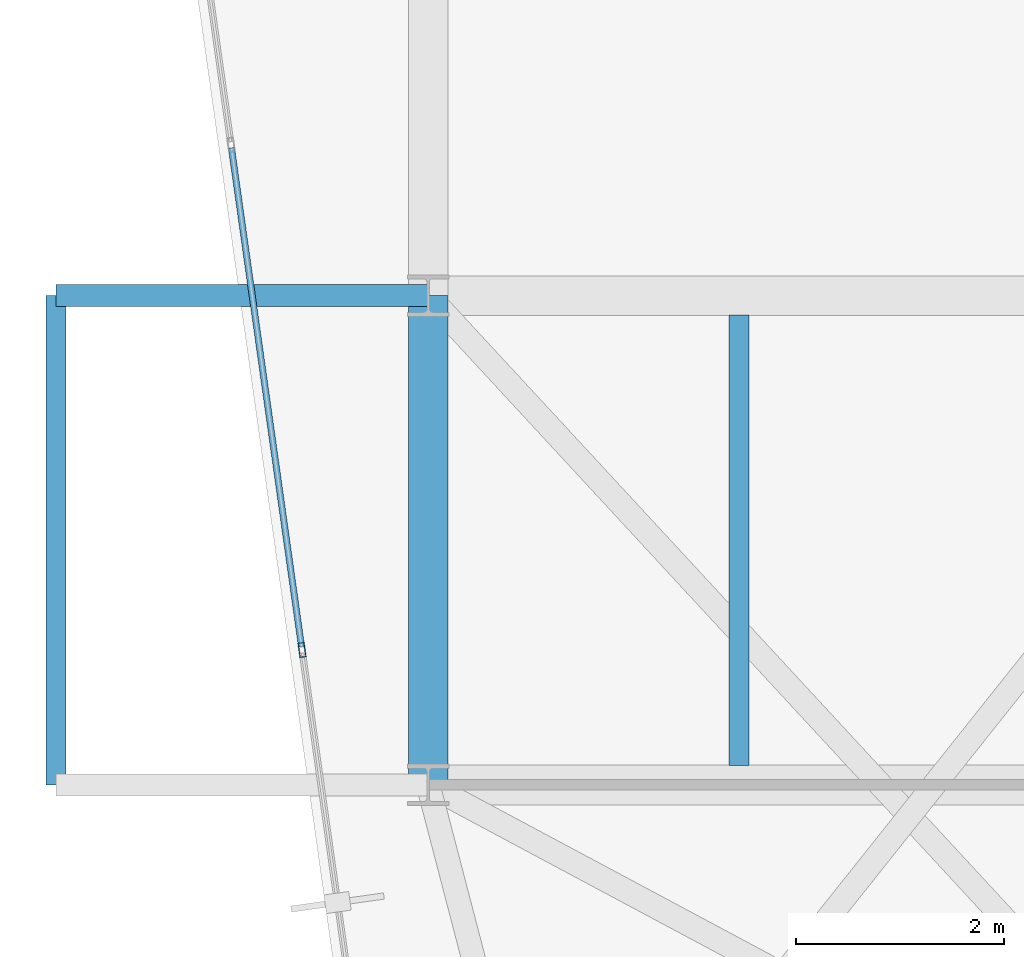
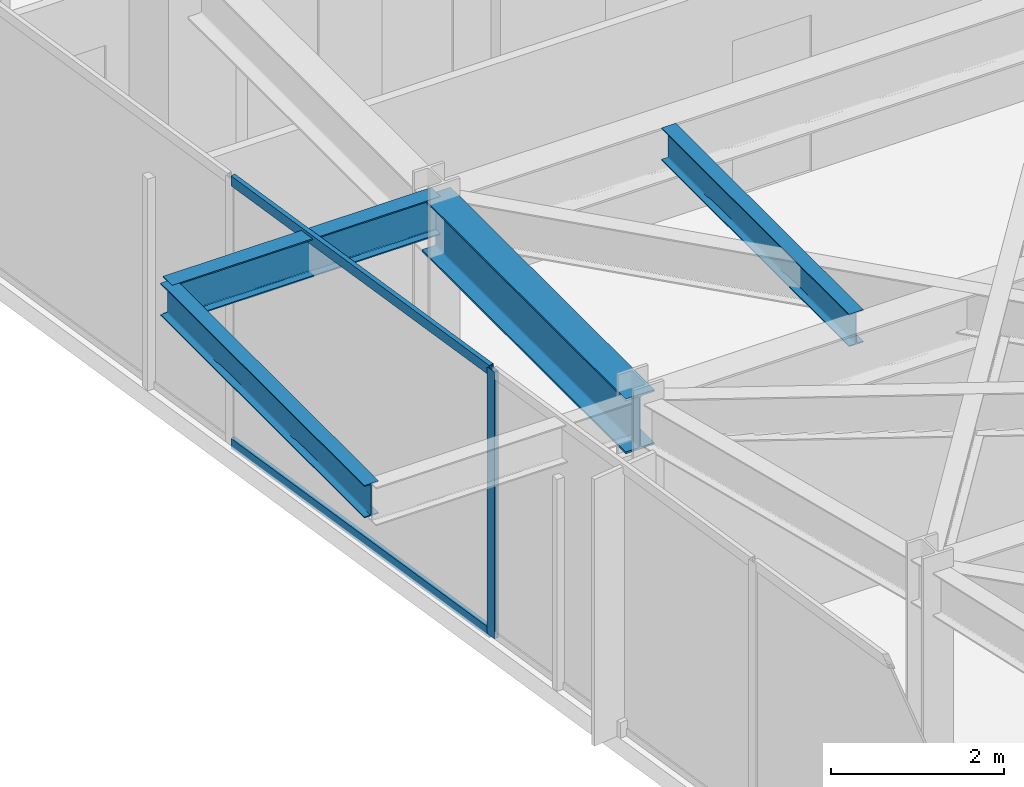
# One storey, part 9 of 26: 4 beams, 3 members, 1 element without a shape of its own.
"""IFC4 building model written with IfcOpenShell, lengths in metres."""

from ifc_helpers import new_model, si_unit, direction, frame, origin, origin_2d, place, context, subcontext, project, spatial, hollow_rectangle, i_section, extrude, material, layer, layer_set, material_profile, profile_set, type_object, element, aggregate, save


model = new_model("IFC4")

# Units and contexts
model_context = context("Model", 3, precision=1e-05, world=origin(), true_north=direction((0.0, 1.0)))
body_context = subcontext(model_context, "Body", "Model", "MODEL_VIEW")
ifc_project = project(units=[si_unit("LENGTHUNIT", "METRE"), si_unit("AREAUNIT", "SQUARE_METRE"), si_unit("VOLUMEUNIT", "CUBIC_METRE"), si_unit("PLANEANGLEUNIT", "RADIAN"), si_unit("MASSUNIT", "GRAM", prefix="KILO")], contexts=[model_context])

# Site, building, storey
site_placement = place(None, origin())
site = spatial("IfcSite", under=ifc_project, at=site_placement, CompositionType="ELEMENT")
building_placement = place(site_placement, origin())
building = spatial("IfcBuilding", under=site, at=building_placement, Name="Kravanh Interchange Tower", CompositionType="ELEMENT")
storey_placement = place(building_placement, frame((0.0, 0.0, 204.5)))
storey = spatial("IfcBuildingStorey", under=building, at=storey_placement, Name="L49", CompositionType="ELEMENT", Elevation=204.5)

# Curtain wall, members
ifc_material_1 = material(Name="Anodised Bronze Aluminium", Category="aluminium")
ifc_layer = layer(ifc_material_1, 0.179931640625)
ifc_layer_set = layer_set([ifc_layer], Name="Unitised Curtain Wall System CW-Z3 Upper Office")
curtain_wall_type = type_object("IfcCurtainWallType", Name="Unitised Curtain Wall System CW-Z3 Upper Office", PredefinedType="NOTDEFINED", material=ifc_layer_set)
curtain_wall_placement = place(storey_placement, origin())
curtain_wall = element("IfcCurtainWall", 1, at=curtain_wall_placement, inside=storey, type_object=curtain_wall_type, Name="L49 Unitised Curtain Wall CW-L49-01", PredefinedType="NOTDEFINED")
ifc_material_2 = material(Name="Anodised Bronze Aluminium", Category="aluminium")
ifc_material_profile_1 = material_profile(ifc_material_2, hollow_rectangle(XDim=0.06005859375, YDim=0.139892578125, WallThickness=0.00390625, at=origin_2d()), Name="ALU60X140X4")
ifc_profile_set_1 = profile_set([ifc_material_profile_1], Name="Anodised Bronze Aluminium")
member_type_1 = type_object("IfcMemberType", Name="Curtain Wall Mullion ALU60X140X4 Bronze", PredefinedType="MULLION", material=ifc_profile_set_1)
member_1_placement = place(storey_placement, frame((17.388671875, 28.09619140625, 0.0), z_axis=(0.0, 0.0, 1.0), x_axis=(-0.990268194035, -0.139172209446, 0.0)))
member_1 = element("IfcMember", 2, at=member_1_placement, type_object=member_type_1, Name="CW-Z3 mullion 4", PredefinedType="MULLION", context=body_context, shape_type="SweptSolid", body=[
    extrude(hollow_rectangle(XDim=0.06005859375, YDim=0.139892578125, WallThickness=0.00390625, at=origin_2d()), origin(), (0.0, 0.0, 1.0), 3.7548828125),
])
ifc_material_3 = material(Name="Anodised Bronze Aluminium", Category="aluminium")
ifc_material_profile_2 = material_profile(ifc_material_3, hollow_rectangle(XDim=0.06005859375, YDim=0.139892578125, WallThickness=0.00390625, at=origin_2d()), Name="ALU60X140X4")
ifc_profile_set_2 = profile_set([ifc_material_profile_2], Name="Anodised Bronze Aluminium")
member_type_2 = type_object("IfcMemberType", Name="Curtain Wall Transom ALU60X140X4 Bronze", PredefinedType="USERDEFINED", material=ifc_profile_set_2)
member_2_placement = place(storey_placement, frame((17.384521484375, 28.1259765625, 0.030029296875), z_axis=(-0.139182174391, 0.990266793512, 0.0), x_axis=(-0.990266793512, -0.139182174391, 0.0)))
member_2 = element("IfcMember", 3, at=member_2_placement, type_object=member_type_2, Name="CW-Z3 transom 4.1", ObjectType="TRANSOM", PredefinedType="USERDEFINED", context=body_context, shape_type="SweptSolid", body=[
    extrude(hollow_rectangle(XDim=0.06005859375, YDim=0.139892578125, WallThickness=0.00390625, at=origin_2d()), origin(), (0.0, 0.0, 1.0), 4.839599609375),
])
member_3_placement = place(storey_placement, frame((17.384521484375, 28.1259765625, 3.72509765625), z_axis=(-0.139182174391, 0.990266793512, 0.0), x_axis=(-0.990266793512, -0.139182174391, 0.0)))
member_3 = element("IfcMember", 4, at=member_3_placement, type_object=member_type_2, Name="CW-Z3 transom 4.2", ObjectType="TRANSOM", PredefinedType="USERDEFINED", context=body_context, shape_type="SweptSolid", body=[
    extrude(hollow_rectangle(XDim=0.06005859375, YDim=0.139892578125, WallThickness=0.00390625, at=origin_2d()), origin(), (0.0, 0.0, 1.0), 4.839599609375),
])
aggregate(curtain_wall, [member_1, member_2, member_3])

# Beams
ifc_material_4 = material(Name="Structural Steel S355", Category="steel")
ifc_material_profile_3 = material_profile(ifc_material_4, i_section(OverallWidth=0.381103515625, OverallDepth=0.77294921875, WebThickness=0.0166015625, FlangeThickness=0.027099609375, FilletRadius=0.02490234375, at=origin_2d()), Name="W30X173")
ifc_profile_set_3 = profile_set([ifc_material_profile_3], Name="Structural Steel S355")
beam_type_1 = type_object("IfcBeamType", Name="Floor Beam W30X173 Structural Steel S355", PredefinedType="BEAM", material=ifc_profile_set_3)
beam_1_placement = place(storey_placement, frame((18.60009765625, 26.800048828125, 3.368408203125), z_axis=(0.0, 1.0, 0.0), x_axis=(-1.0, 0.0, 0.0)))
element("IfcBeam", 5, at=beam_1_placement, inside=storey, type_object=beam_type_1, Name="L49 Primary Floor Girder 33", PredefinedType="BEAM", context=body_context, shape_type="SweptSolid", body=[
    extrude(i_section(OverallWidth=0.381103515625, OverallDepth=0.77294921875, WebThickness=0.0166015625, FlangeThickness=0.027099609375, FilletRadius=0.02490234375, at=origin_2d()), origin(), (0.0, 0.0, 1.0), 4.699951171875),
])
ifc_material_5 = material(Name="Structural Steel S355", Category="steel")
ifc_material_profile_4 = material_profile(ifc_material_5, i_section(OverallWidth=0.18994140625, OverallDepth=0.45703125, WebThickness=0.009033203125, FlangeThickness=0.014404296875, FilletRadius=0.01806640625, at=origin_2d()), Name="W18X50")
ifc_profile_set_4 = profile_set([ifc_material_profile_4], Name="Structural Steel S355")
beam_type_2 = type_object("IfcBeamType", Name="Floor Joist W18X50 Structural Steel S355", PredefinedType="JOIST", material=ifc_profile_set_4)
beam_2_placement = place(storey_placement, frame((21.5859375, 26.985595703125, 3.526611328125), z_axis=(0.0, 1.0, 0.0), x_axis=(-1.0, 0.0, 0.0)))
element("IfcBeam", 6, at=beam_2_placement, inside=storey, type_object=beam_type_2, Name="L49 Secondary Floor Joist 9", PredefinedType="JOIST", context=body_context, shape_type="SweptSolid", body=[
    extrude(i_section(OverallWidth=0.18994140625, OverallDepth=0.45703125, WebThickness=0.009033203125, FlangeThickness=0.014404296875, FilletRadius=0.01806640625, at=origin_2d()), origin(), (0.0, 0.0, 1.0), 4.328857421875),
])
beam_3_placement = place(storey_placement, frame((15.02490234375, 26.800048828125, 3.526611328125), z_axis=(0.0, 1.0, 0.0), x_axis=(-1.0, 0.0, 0.0)))
element("IfcBeam", 7, at=beam_3_placement, inside=storey, type_object=beam_type_2, Name="L49 Balcony Edge Tie Beam W", PredefinedType="JOIST", context=body_context, shape_type="SweptSolid", body=[
    extrude(i_section(OverallWidth=0.18994140625, OverallDepth=0.45703125, WebThickness=0.009033203125, FlangeThickness=0.014404296875, FilletRadius=0.01806640625, at=origin_2d()), origin(), (0.0, 0.0, 1.0), 4.699951171875),
])
ifc_material_6 = material(Name="Structural Steel S355", Category="steel")
ifc_material_profile_5 = material_profile(ifc_material_6, i_section(OverallWidth=0.2099609375, OverallDepth=0.537109375, WebThickness=0.010986328125, FlangeThickness=0.017333984375, FilletRadius=0.02001953125, at=origin_2d()), Name="W21X68")
ifc_profile_set_5 = profile_set([ifc_material_profile_5], Name="Structural Steel S355")
beam_type_3 = type_object("IfcBeamType", Name="Floor Spandrel W21X68 Structural Steel S355", PredefinedType="SPANDREL", material=ifc_profile_set_5)
beam_4_placement = place(storey_placement, frame((18.60009765625, 31.5, 3.486572265625), z_axis=(-1.0, 0.0, 0.0), x_axis=(0.0, -1.0, 0.0)))
element("IfcBeam", 8, at=beam_4_placement, inside=storey, type_object=beam_type_3, Name="L49 Balcony Cantilever Outrigger W2", PredefinedType="SPANDREL", context=body_context, shape_type="SweptSolid", body=[
    extrude(i_section(OverallWidth=0.2099609375, OverallDepth=0.537109375, WebThickness=0.010986328125, FlangeThickness=0.017333984375, FilletRadius=0.02001953125, at=origin_2d()), origin(), (0.0, 0.0, 1.0), 3.5751953125),
])

save(model, "model.ifc")
